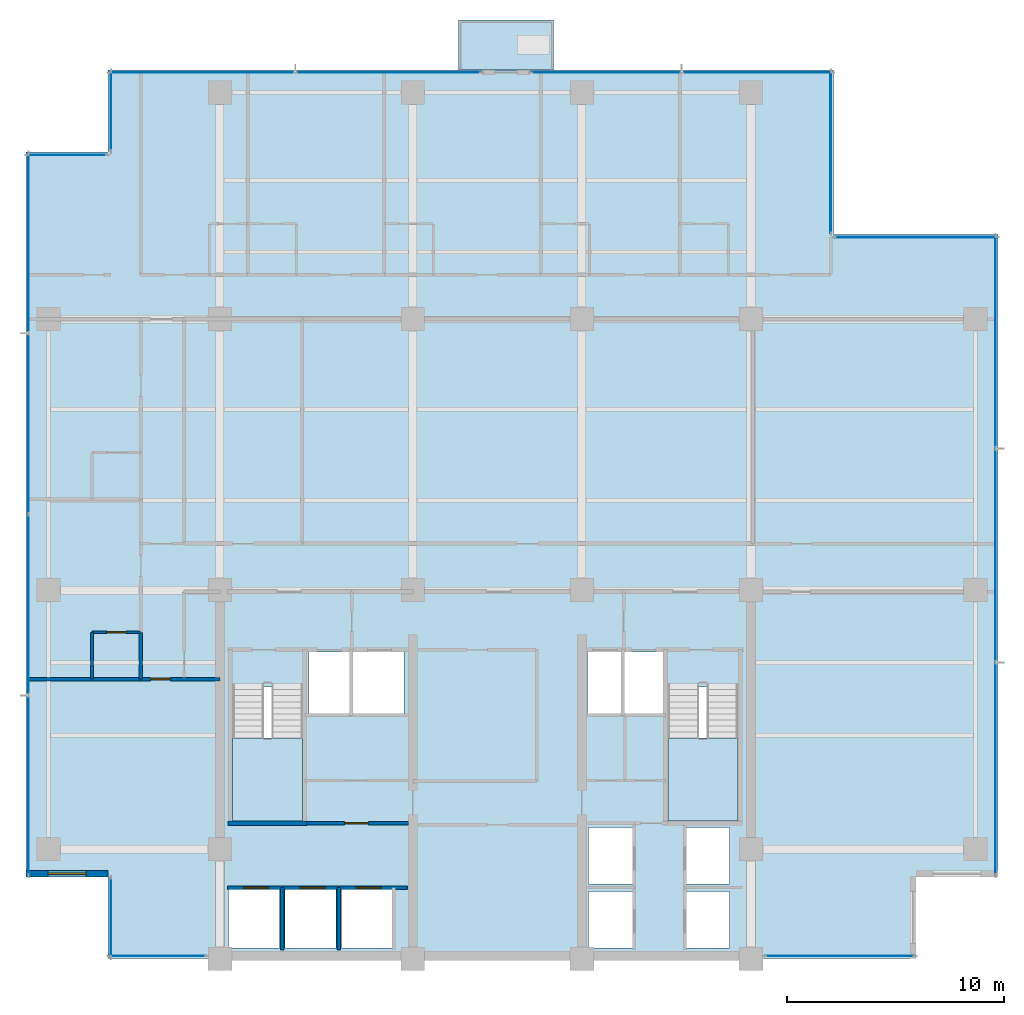
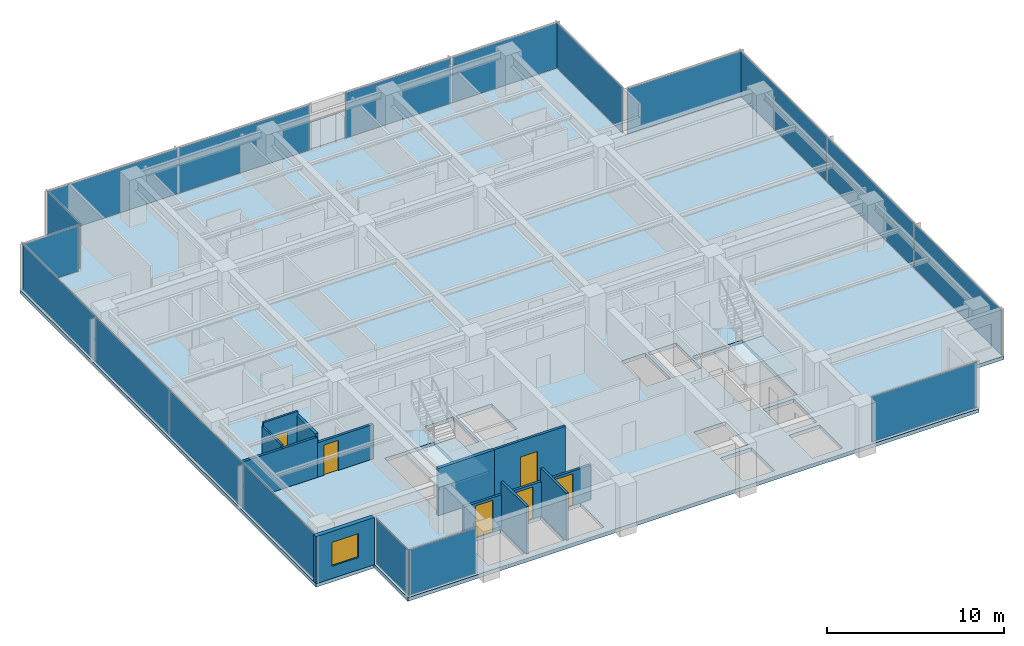
# One storey, part 6 of 15: 18 plates, 11 walls, 6 doors, 4 slabs, 1 window, 7 openings, 13 elements without a shape of their own.
"""IFC4 building model written with IfcOpenShell, lengths in metres."""

from ifc_helpers import new_model, si_unit, direction, frame, frame_2d, origin, origin_2d, place, context, subcontext, project, spatial, polyline, rectangle, outline, extrude, material, layer, layer_set, type_object, element, fill, aggregate, save


model = new_model("IFC4")

# Units and contexts
model_context = context("Model", 3, precision=1e-05, world=origin(), true_north=direction((0.0, 1.0)))
body_context = subcontext(model_context, "Body", "Model", "MODEL_VIEW")
ifc_project = project(units=[si_unit("LENGTHUNIT", "METRE"), si_unit("AREAUNIT", "SQUARE_METRE"), si_unit("VOLUMEUNIT", "CUBIC_METRE"), si_unit("PLANEANGLEUNIT", "RADIAN"), si_unit("MASSUNIT", "GRAM", prefix="KILO")], contexts=[model_context])

# Site, building, storey
site_placement = place(None, origin())
site = spatial("IfcSite", under=ifc_project, at=site_placement, CompositionType="ELEMENT")
building_placement = place(site_placement, origin())
building = spatial("IfcBuilding", under=site, at=building_placement, Name="Qalmaran Belvedere Hotel", CompositionType="ELEMENT")
storey_placement = place(building_placement, frame((0.0, 0.0, 170.10009765625)))
storey = spatial("IfcBuildingStorey", under=building, at=storey_placement, Name="L43", CompositionType="ELEMENT", Elevation=170.10009765625)

# Curtain wall, plate
ifc_material_1 = material(Name="Anodised Bronze Aluminium", Category="aluminium")
ifc_layer_1 = layer(ifc_material_1, 0.195068359375, Name="Anodised Bronze Aluminium")
ifc_layer_set_1 = layer_set([ifc_layer_1], Name="Anodised Bronze Aluminium")
curtain_wall_type = type_object("IfcCurtainWallType", Name="CW4-TOWER-HIGHMID", PredefinedType="NOTDEFINED", material=ifc_layer_set_1)
curtain_wall_1_placement = place(storey_placement, origin())
curtain_wall_1 = element("IfcCurtainWall", 1, at=curtain_wall_1_placement, inside=storey, type_object=curtain_wall_type, Name="L43 Curtain Wall CW4", PredefinedType="NOTDEFINED")
ifc_material_2 = material(Name="Solar-Control Double Glazing", Category="glass")
ifc_layer_2 = layer(ifc_material_2, 0.028076171875, Name="Solar-Control Double Glazing")
ifc_layer_set_2 = layer_set([ifc_layer_2], Name="Solar-Control Double Glazing")
plate_type = type_object("IfcPlateType", Name="CWP-VISION-28", PredefinedType="CURTAIN_PANEL", material=ifc_layer_set_2)
plate_1_placement = place(storey_placement, frame((17.429931640625, 3.6201171875, 0.06494140625), z_axis=(0.0, 0.0, 1.0), x_axis=(1.0, 0.0, 0.0)))
plate_1 = element("IfcPlate", 2, at=plate_1_placement, type_object=plate_type, Name="CW4 panel 1.1", PredefinedType="CURTAIN_PANEL", context=body_context, shape_type="SweptSolid", body=[
    extrude(rectangle(XDim=4.419921875, YDim=0.028076171875, at=origin_2d()), origin(), (0.0, 0.0, 1.0), 3.1201171875),
])
aggregate(curtain_wall_1, [plate_1])

curtain_wall_2_placement = place(storey_placement, origin())
curtain_wall_2 = element("IfcCurtainWall", 3, at=curtain_wall_2_placement, inside=storey, type_object=curtain_wall_type, Name="L43 Curtain Wall CW4", PredefinedType="NOTDEFINED")
plate_2_placement = place(storey_placement, frame((48.89501953125, 3.6201171875, 0.06494140625), z_axis=(0.0, 0.0, 1.0), x_axis=(1.0, 0.0, 0.0)))
plate_2 = element("IfcPlate", 4, at=plate_2_placement, type_object=plate_type, Name="CW4 panel 1.1", PredefinedType="CURTAIN_PANEL", context=body_context, shape_type="SweptSolid", body=[
    extrude(rectangle(XDim=6.8701171875, YDim=0.028076171875, at=origin_2d()), origin(), (0.0, 0.0, 1.0), 3.1201171875),
])
aggregate(curtain_wall_2, [plate_2])

# Curtain wall, plates
curtain_wall_3_placement = place(storey_placement, origin())
curtain_wall_3 = element("IfcCurtainWall", 5, at=curtain_wall_3_placement, inside=storey, type_object=curtain_wall_type, Name="L43 Curtain Wall CW4", PredefinedType="NOTDEFINED")
plate_3_placement = place(storey_placement, frame((56.080078125, 12.250732421875, 0.06494140625), z_axis=(0.0, 0.0, 1.0), x_axis=(0.0, 1.0, 0.0)))
plate_3 = element("IfcPlate", 6, at=plate_3_placement, type_object=plate_type, Name="CW4 panel 1.1", PredefinedType="CURTAIN_PANEL", context=body_context, shape_type="SweptSolid", body=[
    extrude(rectangle(XDim=9.76171875, YDim=0.028076171875, at=origin_2d()), origin(), (0.0, 0.0, 1.0), 3.1201171875),
])
plate_4_placement = place(storey_placement, frame((56.080078125, 22.10009765625, 0.06494140625), z_axis=(0.0, 0.0, 1.0), x_axis=(0.0, 1.0, 0.0)))
plate_4 = element("IfcPlate", 7, at=plate_4_placement, type_object=plate_type, Name="CW4 panel 2.1", PredefinedType="CURTAIN_PANEL", context=body_context, shape_type="SweptSolid", body=[
    extrude(rectangle(XDim=9.796630859375, YDim=0.028076171875, at=origin_2d()), origin(), (0.0, 0.0, 1.0), 3.1201171875),
])
plate_5_placement = place(storey_placement, frame((56.080078125, 31.94921875, 0.06494140625), z_axis=(0.0, 0.0, 1.0), x_axis=(0.0, 1.0, 0.0)))
plate_5 = element("IfcPlate", 8, at=plate_5_placement, type_object=plate_type, Name="CW4 panel 3.1", PredefinedType="CURTAIN_PANEL", context=body_context, shape_type="SweptSolid", body=[
    extrude(rectangle(XDim=9.76171875, YDim=0.028076171875, at=origin_2d()), origin(), (0.0, 0.0, 1.0), 3.1201171875),
])
aggregate(curtain_wall_3, [plate_3, plate_4, plate_5])

# Curtain wall, plate
curtain_wall_4_placement = place(storey_placement, origin())
curtain_wall_4 = element("IfcCurtainWall", 9, at=curtain_wall_4_placement, inside=storey, type_object=curtain_wall_type, Name="L43 Curtain Wall CW4", PredefinedType="NOTDEFINED")
plate_6_placement = place(storey_placement, frame((52.39990234375, 36.780029296875, 0.06494140625), z_axis=(0.0, 0.0, 1.0), x_axis=(-1.0, 0.0, 0.0)))
plate_6 = element("IfcPlate", 10, at=plate_6_placement, type_object=plate_type, Name="CW4 panel 1.1", PredefinedType="CURTAIN_PANEL", context=body_context, shape_type="SweptSolid", body=[
    extrude(rectangle(XDim=7.4599609375, YDim=0.028076171875, at=origin_2d()), origin(), (0.0, 0.0, 1.0), 3.1201171875),
])
aggregate(curtain_wall_4, [plate_6])

curtain_wall_5_placement = place(storey_placement, origin())
curtain_wall_5 = element("IfcCurtainWall", 11, at=curtain_wall_5_placement, inside=storey, type_object=curtain_wall_type, Name="L43 Curtain Wall CW4", PredefinedType="NOTDEFINED")
plate_7_placement = place(storey_placement, frame((48.47998046875, 40.699951171875, 0.06494140625), z_axis=(0.0, 0.0, 1.0), x_axis=(0.0, 1.0, 0.0)))
plate_7 = element("IfcPlate", 12, at=plate_7_placement, type_object=plate_type, Name="CW4 panel 1.1", PredefinedType="CURTAIN_PANEL", context=body_context, shape_type="SweptSolid", body=[
    extrude(rectangle(XDim=7.4599609375, YDim=0.028076171875, at=origin_2d()), origin(), (0.0, 0.0, 1.0), 3.1201171875),
])
aggregate(curtain_wall_5, [plate_7])

# Curtain wall, plates
curtain_wall_6_placement = place(storey_placement, origin())
curtain_wall_6 = element("IfcCurtainWall", 13, at=curtain_wall_6_placement, inside=storey, type_object=curtain_wall_type, Name="L43 Curtain Wall CW4", PredefinedType="NOTDEFINED")
plate_8_placement = place(storey_placement, frame((28.070068359375, 44.3798828125, 0.06494140625), z_axis=(0.0, 0.0, 1.0), x_axis=(-1.0, 0.0, 0.0)))
plate_8 = element("IfcPlate", 14, at=plate_8_placement, type_object=plate_type, Name="CW4 panel 1.1", PredefinedType="CURTAIN_PANEL", context=body_context, shape_type="SweptSolid", body=[
    extrude(rectangle(XDim=8.52001953125, YDim=0.028076171875, at=origin_2d()), origin(), (0.0, 0.0, 1.0), 3.1201171875),
])
plate_9_placement = place(storey_placement, frame((19.47998046875, 44.3798828125, 0.06494140625), z_axis=(0.0, 0.0, 1.0), x_axis=(-1.0, 0.0, 0.0)))
plate_9 = element("IfcPlate", 15, at=plate_9_placement, type_object=plate_type, Name="CW4 panel 2.1", PredefinedType="CURTAIN_PANEL", context=body_context, shape_type="SweptSolid", body=[
    extrude(rectangle(XDim=8.52001953125, YDim=0.028076171875, at=origin_2d()), origin(), (0.0, 0.0, 1.0), 3.1201171875),
])
aggregate(curtain_wall_6, [plate_8, plate_9])

curtain_wall_7_placement = place(storey_placement, origin())
curtain_wall_7 = element("IfcCurtainWall", 16, at=curtain_wall_7_placement, inside=storey, type_object=curtain_wall_type, Name="L43 Curtain Wall CW4", PredefinedType="NOTDEFINED")
plate_10_placement = place(storey_placement, frame((45.08251953125, 44.3798828125, 0.06494140625), z_axis=(0.0, 0.0, 1.0), x_axis=(-1.0, 0.0, 0.0)))
plate_10 = element("IfcPlate", 17, at=plate_10_placement, type_object=plate_type, Name="CW4 panel 1.1", PredefinedType="CURTAIN_PANEL", context=body_context, shape_type="SweptSolid", body=[
    extrude(rectangle(XDim=6.89501953125, YDim=0.028076171875, at=origin_2d()), origin(), (0.0, 0.0, 1.0), 3.1201171875),
])
plate_11_placement = place(storey_placement, frame((38.117431640625, 44.3798828125, 0.06494140625), z_axis=(0.0, 0.0, 1.0), x_axis=(-1.0, 0.0, 0.0)))
plate_11 = element("IfcPlate", 18, at=plate_11_placement, type_object=plate_type, Name="CW4 panel 2.1", PredefinedType="CURTAIN_PANEL", context=body_context, shape_type="SweptSolid", body=[
    extrude(rectangle(XDim=6.89501953125, YDim=0.028076171875, at=origin_2d()), origin(), (0.0, 0.0, 1.0), 3.1201171875),
])
aggregate(curtain_wall_7, [plate_10, plate_11])

# Curtain wall, plate
curtain_wall_8_placement = place(storey_placement, origin())
curtain_wall_8 = element("IfcCurtainWall", 19, at=curtain_wall_8_placement, inside=storey, type_object=curtain_wall_type, Name="L43 Curtain Wall CW4", PredefinedType="NOTDEFINED")
plate_12_placement = place(storey_placement, frame((15.27001953125, 42.60009765625, 0.06494140625), z_axis=(0.0, 0.0, 1.0), x_axis=(0.0, -1.0, 0.0)))
plate_12 = element("IfcPlate", 20, at=plate_12_placement, type_object=plate_type, Name="CW4 panel 1.1", PredefinedType="CURTAIN_PANEL", context=body_context, shape_type="SweptSolid", body=[
    extrude(rectangle(XDim=3.659912109375, YDim=0.028076171875, at=origin_2d()), origin(), (0.0, 0.0, 1.0), 3.1201171875),
])
aggregate(curtain_wall_8, [plate_12])

curtain_wall_9_placement = place(storey_placement, origin())
curtain_wall_9 = element("IfcCurtainWall", 21, at=curtain_wall_9_placement, inside=storey, type_object=curtain_wall_type, Name="L43 Curtain Wall CW4", PredefinedType="NOTDEFINED")
plate_13_placement = place(storey_placement, frame((13.25, 40.580078125, 0.06494140625), z_axis=(0.0, 0.0, 1.0), x_axis=(-1.0, 0.0, 0.0)))
plate_13 = element("IfcPlate", 22, at=plate_13_placement, type_object=plate_type, Name="CW4 panel 1.1", PredefinedType="CURTAIN_PANEL", context=body_context, shape_type="SweptSolid", body=[
    extrude(rectangle(XDim=3.659912109375, YDim=0.028076171875, at=origin_2d()), origin(), (0.0, 0.0, 1.0), 3.1201171875),
])
aggregate(curtain_wall_9, [plate_13])

# Curtain wall, plates
curtain_wall_10_placement = place(storey_placement, origin())
curtain_wall_10 = element("IfcCurtainWall", 23, at=curtain_wall_10_placement, inside=storey, type_object=curtain_wall_type, Name="L43 Curtain Wall CW4", PredefinedType="NOTDEFINED")
plate_14_placement = place(storey_placement, frame((11.469970703125, 36.507568359375, 0.06494140625), z_axis=(0.0, 0.0, 1.0), x_axis=(0.0, -1.0, 0.0)))
plate_14 = element("IfcPlate", 24, at=plate_14_placement, type_object=plate_type, Name="CW4 panel 1.1", PredefinedType="CURTAIN_PANEL", context=body_context, shape_type="SweptSolid", body=[
    extrude(rectangle(XDim=8.2451171875, YDim=0.028076171875, at=origin_2d()), origin(), (0.0, 0.0, 1.0), 3.1201171875),
])
plate_15_placement = place(storey_placement, frame((11.469970703125, 28.175048828125, 0.06494140625), z_axis=(0.0, 0.0, 1.0), x_axis=(0.0, -1.0, 0.0)))
plate_15 = element("IfcPlate", 25, at=plate_15_placement, type_object=plate_type, Name="CW4 panel 2.1", PredefinedType="CURTAIN_PANEL", context=body_context, shape_type="SweptSolid", body=[
    extrude(rectangle(XDim=8.280029296875, YDim=0.028076171875, at=origin_2d()), origin(), (0.0, 0.0, 1.0), 3.1201171875),
])
plate_16_placement = place(storey_placement, frame((11.469970703125, 19.824951171875, 0.06494140625), z_axis=(0.0, 0.0, 1.0), x_axis=(0.0, -1.0, 0.0)))
plate_16 = element("IfcPlate", 26, at=plate_16_placement, type_object=plate_type, Name="CW4 panel 3.1", PredefinedType="CURTAIN_PANEL", context=body_context, shape_type="SweptSolid", body=[
    extrude(rectangle(XDim=8.280029296875, YDim=0.028076171875, at=origin_2d()), origin(), (0.0, 0.0, 1.0), 3.1201171875),
])
plate_17_placement = place(storey_placement, frame((11.469970703125, 11.492431640625, 0.06494140625), z_axis=(0.0, 0.0, 1.0), x_axis=(0.0, -1.0, 0.0)))
plate_17 = element("IfcPlate", 27, at=plate_17_placement, type_object=plate_type, Name="CW4 panel 4.1", PredefinedType="CURTAIN_PANEL", context=body_context, shape_type="SweptSolid", body=[
    extrude(rectangle(XDim=8.2451171875, YDim=0.028076171875, at=origin_2d()), origin(), (0.0, 0.0, 1.0), 3.1201171875),
])
aggregate(curtain_wall_10, [plate_14, plate_15, plate_16, plate_17])

# Curtain wall, plate
curtain_wall_11_placement = place(storey_placement, origin())
curtain_wall_11 = element("IfcCurtainWall", 28, at=curtain_wall_11_placement, inside=storey, type_object=curtain_wall_type, Name="L43 Curtain Wall CW4", PredefinedType="NOTDEFINED")
plate_18_placement = place(storey_placement, frame((15.27001953125, 5.39990234375, 0.06494140625), z_axis=(0.0, 0.0, 1.0), x_axis=(0.0, -1.0, 0.0)))
plate_18 = element("IfcPlate", 29, at=plate_18_placement, type_object=plate_type, Name="CW4 panel 1.1", PredefinedType="CURTAIN_PANEL", context=body_context, shape_type="SweptSolid", body=[
    extrude(rectangle(XDim=3.659912109375, YDim=0.028076171875, at=origin_2d()), origin(), (0.0, 0.0, 1.0), 3.1201171875),
])
aggregate(curtain_wall_11, [plate_18])

# Slab
ifc_material_3 = material(Name="Concrete C40/50", Category="concrete")
ifc_layer_3 = layer(ifc_material_3, 0.219970703125, Name="Concrete C40/50")
ifc_layer_set_3 = layer_set([ifc_layer_3], Name="Concrete C40/50")
slab_type_1 = type_object("IfcSlabType", Name="SLB-BAL-220", PredefinedType="USERDEFINED", material=ifc_layer_set_3)
slab_1_placement = place(storey_placement, frame((0.0, 0.0, -0.22021484375)))
element("IfcSlab", 30, at=slab_1_placement, inside=storey, type_object=slab_type_1, Name="L43 Planted Tree Balcony Slab 1", ObjectType="BALCONY", PredefinedType="USERDEFINED", context=body_context, shape_type="SweptSolid", body=[
    extrude(outline(polyline([(31.300048828125, 44.5), (35.699951171875, 44.5), (35.699951171875, 46.800048828125), (31.300048828125, 46.800048828125), (31.300048828125, 44.5)])), origin(), (0.0, 0.0, 1.0), 0.22021484375),
])

# Stair, slab
stair_type_1 = type_object("IfcStairType", Name="STR-ST-1-1450-R1750", PredefinedType="HALF_TURN_STAIR", material=ifc_material_3)
stair_1_placement = place(storey_placement, origin())
stair_1 = element("IfcStair", 31, at=stair_1_placement, inside=storey, type_object=stair_type_1, Name="L43 West Core Exit Stair ST-1", PredefinedType="HALF_TURN_STAIR")
ifc_layer_4 = layer(ifc_material_3, 0.199951171875, Name="Concrete C40/50")
ifc_layer_set_4 = layer_set([ifc_layer_4], Name="Concrete C40/50")
slab_type_2 = type_object("IfcSlabType", Name="SLB-STAIR-LANDING-200", PredefinedType="LANDING", material=ifc_layer_set_4)
slab_2_placement = place(storey_placement, frame((0.0, 0.0, 1.5498046875)))
slab_2 = element("IfcSlab", 32, at=slab_2_placement, type_object=slab_type_2, Name="ST-1 landing 1", PredefinedType="LANDING", context=body_context, shape_type="SweptSolid", body=[
    extrude(outline(polyline([(20.8798828125, 13.669921875), (20.8798828125, 9.85009765625), (24.1201171875, 9.85009765625), (24.1201171875, 13.669921875), (20.8798828125, 13.669921875)])), origin(), (0.0, 0.0, 1.0), 0.2001953125),
])
aggregate(stair_1, [slab_2])

stair_type_2 = type_object("IfcStairType", Name="STR-ST-2-1450-R1750", PredefinedType="HALF_TURN_STAIR", material=ifc_material_3)
stair_2_placement = place(storey_placement, origin())
stair_2 = element("IfcStair", 33, at=stair_2_placement, inside=storey, type_object=stair_type_2, Name="L43 East Core Exit Stair ST-2", PredefinedType="HALF_TURN_STAIR")
slab_3_placement = place(storey_placement, frame((0.0, 0.0, 1.5498046875)))
slab_3 = element("IfcSlab", 34, at=slab_3_placement, type_object=slab_type_2, Name="ST-2 landing 1", PredefinedType="LANDING", context=body_context, shape_type="SweptSolid", body=[
    extrude(outline(polyline([(40.9599609375, 13.669921875), (40.9599609375, 9.85009765625), (44.199951171875, 9.85009765625), (44.199951171875, 13.669921875), (40.9599609375, 13.669921875)])), origin(), (0.0, 0.0, 1.0), 0.2001953125),
])
aggregate(stair_2, [slab_3])

# Slab
ifc_layer_5 = layer(ifc_material_3, 0.25, Name="Concrete C40/50")
ifc_layer_set_5 = layer_set([ifc_layer_5], Name="Concrete C40/50")
slab_type_3 = type_object("IfcSlabType", Name="SLB-Z3-250", PredefinedType="FLOOR", material=ifc_layer_set_5)
slab_4_placement = place(storey_placement, frame((0.0, 0.0, -0.25)))
element("IfcSlab", 35, at=slab_4_placement, inside=storey, type_object=slab_type_3, Name="L43 Structural Floor Slab", PredefinedType="FLOOR", context=body_context, shape_type="SweptSolid", body=[
    extrude(outline(polyline([(15.14990234375, 3.5), (52.39990234375, 3.5), (52.39990234375, 7.300048828125), (56.199951171875, 7.300048828125), (56.199951171875, 36.89990234375), (48.60009765625, 36.89990234375), (48.60009765625, 44.5), (15.14990234375, 44.5), (15.14990234375, 40.699951171875), (11.35009765625, 40.699951171875), (11.35009765625, 7.300048828125), (15.14990234375, 7.300048828125), (15.14990234375, 3.5)]), holes=[polyline([(20.8798828125, 9.85009765625), (24.1201171875, 9.85009765625), (24.1201171875, 16.0400390625), (20.8798828125, 16.0400390625), (20.8798828125, 9.85009765625)]), polyline([(40.9599609375, 9.85009765625), (44.199951171875, 9.85009765625), (44.199951171875, 16.0400390625), (40.9599609375, 16.0400390625), (40.9599609375, 9.85009765625)]), polyline([(37.300048828125, 4.0), (39.35009765625, 4.0), (39.35009765625, 6.60009765625), (37.300048828125, 6.60009765625), (37.300048828125, 4.0)]), polyline([(37.300048828125, 6.949951171875), (39.35009765625, 6.949951171875), (39.35009765625, 9.550048828125), (37.300048828125, 9.550048828125), (37.300048828125, 6.949951171875)]), polyline([(41.800048828125, 4.0), (43.800048828125, 4.0), (43.800048828125, 6.60009765625), (41.800048828125, 6.60009765625), (41.800048828125, 4.0)]), polyline([(41.800048828125, 6.949951171875), (43.800048828125, 6.949951171875), (43.800048828125, 9.550048828125), (41.800048828125, 9.550048828125), (41.800048828125, 6.949951171875)]), polyline([(20.699951171875, 4.0), (23.050048828125, 4.0), (23.050048828125, 6.699951171875), (20.699951171875, 6.699951171875), (20.699951171875, 4.0)]), polyline([(23.300048828125, 4.0), (25.64990234375, 4.0), (25.64990234375, 6.699951171875), (23.300048828125, 6.699951171875), (23.300048828125, 4.0)]), polyline([(25.89990234375, 4.0), (28.25, 4.0), (28.25, 6.699951171875), (25.89990234375, 6.699951171875), (25.89990234375, 4.0)]), polyline([(24.39990234375, 14.800048828125), (26.300048828125, 14.800048828125), (26.300048828125, 17.64990234375), (24.39990234375, 17.64990234375), (24.39990234375, 14.800048828125)]), polyline([(38.949951171875, 14.800048828125), (40.820068359375, 14.800048828125), (40.820068359375, 17.64990234375), (38.949951171875, 17.64990234375), (38.949951171875, 14.800048828125)]), polyline([(26.449951171875, 14.800048828125), (28.800048828125, 14.800048828125), (28.800048828125, 17.64990234375), (26.449951171875, 17.64990234375), (26.449951171875, 14.800048828125)]), polyline([(37.25, 14.800048828125), (38.800048828125, 14.800048828125), (38.800048828125, 17.64990234375), (37.25, 17.64990234375), (37.25, 14.800048828125)])]), origin(), (0.0, 0.0, 1.0), 0.25),
])

# Wall, opening, window
ifc_material_4 = material(Name="Anodised Bronze Cladding")
ifc_layer_6 = layer(ifc_material_4, 0.280029296875, Name="Anodised Bronze Cladding")
ifc_layer_set_6 = layer_set([ifc_layer_6], Name="Anodised Bronze Cladding")
wall_type_1 = type_object("IfcWallType", Name="WL-EXT-BRNZ-280", PredefinedType="SOLIDWALL", material=ifc_layer_set_6)
wall_1_placement = place(storey_placement, frame((11.35009765625, 7.419921875, 0.0), z_axis=(0.0, 0.0, 1.0), x_axis=(1.0, 0.0, 0.0)))
wall_1 = element("IfcWall", 36, at=wall_1_placement, inside=storey, type_object=wall_type_1, Name="L43 Corner Notch Wall 10", PredefinedType="SOLIDWALL", context=body_context, shape_type="SweptSolid", body=[
    extrude(rectangle(XDim=3.7998046875, YDim=0.280029296875, at=frame_2d((1.89990234375, 0.0))), origin(), (0.0, 0.0, 1.0), 3.25),
])
opening_1_placement = place(wall_1_placement, frame((1.02490234375, 0.0, 0.85009765625)))
opening_1 = element("IfcOpeningElement", 37, at=opening_1_placement, cuts=wall_1, Name="Opening W-N17", PredefinedType="OPENING", context=body_context, shape_type="SweptSolid", body=[
    extrude(rectangle(XDim=1.75, YDim=1.64990234375, at=frame_2d((0.875, 0.824951171875))), frame((0.0, 0.14990234375, 0.0), z_axis=(0.0, -1.0, 0.0), x_axis=(1.0, 0.0, 0.0)), (0.0, 0.0, 1.0), 0.300048828125),
])
window_type = type_object("IfcWindowType", Name="WN-NTC-1750X1650", PartitioningType="SINGLE_PANEL", PredefinedType="WINDOW", material=ifc_material_2)
window_placement = place(opening_1_placement, origin())
window = element("IfcWindow", 38, at=window_placement, inside=storey, type_object=window_type, Name="L43 Corner Notch Window 10", OverallHeight=1.64990234375, OverallWidth=1.75, PartitioningType="SINGLE_PANEL", PredefinedType="WINDOW", context=body_context, shape_type="SweptSolid", body=[
    extrude(rectangle(XDim=1.75, YDim=1.64990234375, at=frame_2d((0.875, 0.824951171875))), frame((0.0, 0.030029296875, 0.0), z_axis=(0.0, -1.0, 0.0), x_axis=(1.0, 0.0, 0.0)), (0.0, 0.0, 1.0), 0.06005859375),
])
fill(opening_1, window)

# Wall, opening, door
ifc_material_5 = material(Name="Moisture-Resistant Gypsum")
ifc_layer_7 = layer(ifc_material_5, 0.1201171875, Name="Moisture-Resistant Gypsum")
ifc_layer_set_7 = layer_set([ifc_layer_7], Name="Moisture-Resistant Gypsum")
wall_type_2 = type_object("IfcWallType", Name="WL-INT-120-BATH", PredefinedType="PARTITIONING", material=ifc_layer_set_7)
wall_2_placement = place(storey_placement, frame((14.39990234375, 18.550048828125, 0.0), z_axis=(0.0, 0.0, 1.0), x_axis=(1.0, 0.0, 0.0)))
wall_2 = element("IfcWall", 39, at=wall_2_placement, inside=storey, type_object=wall_type_2, Name="L43 Partition WL-L43-WBN00", PredefinedType="PARTITIONING", context=body_context, shape_type="SweptSolid", body=[
    extrude(rectangle(XDim=2.25, YDim=0.1201171875, at=frame_2d((1.125, 0.0))), origin(), (0.0, 0.0, 1.0), 3.25),
])
opening_2_placement = place(wall_2_placement, frame((1.56494140625, 0.0, 0.0), z_axis=(0.0, 0.0, 1.0), x_axis=(-1.0, 0.0, 0.0)))
opening_2 = element("IfcOpeningElement", 40, at=opening_2_placement, cuts=wall_2, Name="Opening D-BATH", PredefinedType="OPENING", context=body_context, shape_type="SweptSolid", body=[
    extrude(rectangle(XDim=0.8798828125, YDim=2.080078125, at=frame_2d((0.43994140625, 1.0400390625))), frame((0.0, 0.070068359375, 0.0), z_axis=(0.0, -1.0, 0.0), x_axis=(1.0, 0.0, 0.0)), (0.0, 0.0, 1.0), 0.14013671875),
])
ifc_material_6 = material(Name="Engineered Oak Veneer")
door_type_1 = type_object("IfcDoorType", Name="DR-INT-BATH-880X2080", OperationType="NOTDEFINED", PredefinedType="DOOR", material=ifc_material_6)
door_1_placement = place(opening_2_placement, origin())
door_1 = element("IfcDoor", 41, at=door_1_placement, inside=storey, type_object=door_type_1, Name="L43 W Ensuite Door 01", OperationType="SINGLE_SWING_RIGHT", OverallHeight=2.080078125, OverallWidth=0.8798828125, PredefinedType="DOOR", context=body_context, shape_type="SweptSolid", body=[
    extrude(rectangle(XDim=0.8798828125, YDim=2.080078125, at=frame_2d((0.43994140625, 1.0400390625))), frame((0.0, 0.02490234375, 0.0), z_axis=(0.0, -1.0, 0.0), x_axis=(1.0, 0.0, 0.0)), (0.0, 0.0, 1.0), 0.050048828125),
])
fill(opening_2, door_1)

# Walls
wall_3_placement = place(storey_placement, frame((14.39990234375, 16.39990234375, 0.0), z_axis=(0.0, 0.0, 1.0), x_axis=(0.0, 1.0, 0.0)))
element("IfcWall", 42, at=wall_3_placement, inside=storey, type_object=wall_type_2, Name="L43 Partition WL-L43-WBS00", PredefinedType="PARTITIONING", context=body_context, shape_type="SweptSolid", body=[
    extrude(rectangle(XDim=2.150146484375, YDim=0.1201171875, at=frame_2d((1.0751953125, 0.0))), origin(), (0.0, 0.0, 1.0), 2.98779296875),
])
ifc_material_7 = material(Name="Gypsum Stud Partition")
ifc_layer_8 = layer(ifc_material_7, 0.14990234375, Name="Gypsum Stud Partition")
ifc_layer_set_8 = layer_set([ifc_layer_8], Name="Gypsum Stud Partition")
wall_type_3 = type_object("IfcWallType", Name="WL-INT-150-EI120", PredefinedType="PARTITIONING", material=ifc_layer_set_8)
for number, where, z_axis, x_axis, name in (
    (43, (23.179931640625, 3.89990234375, 0.0), (0.0, 0.0, 1.0), (0.0, 1.0, 0.0), "L43 Partition WL-POM1-L43"),
    (44, (25.780029296875, 3.89990234375, 0.0), (0.0, 0.0, 1.0), (0.0, 1.0, 0.0), "L43 Partition WL-POM2-L43"),
):
    element("IfcWall", number, at=place(storey_placement, frame(where, z_axis=z_axis, x_axis=x_axis)), inside=storey, type_object=wall_type_3, Name=name, PredefinedType="PARTITIONING", context=body_context, shape_type="SweptSolid", body=[
        extrude(rectangle(XDim=2.880126953125, YDim=0.14990234375, at=frame_2d((1.43994140625, 0.0))), origin(), (0.0, 0.0, 1.0), 3.25),
    ])

# Wall, openings, doors
ifc_layer_9 = layer(ifc_material_7, 0.159912109375, Name="Gypsum Stud Partition")
ifc_layer_set_9 = layer_set([ifc_layer_9], Name="Gypsum Stud Partition")
wall_type_4 = type_object("IfcWallType", Name="WL-INT-160-EI120", PredefinedType="PARTITIONING", material=ifc_layer_set_9)
wall_4_placement = place(storey_placement, frame((20.64990234375, 6.780029296875, 0.0), z_axis=(0.0, 0.0, 1.0), x_axis=(1.0, 0.0, 0.0)))
wall_4 = element("IfcWall", 45, at=wall_4_placement, inside=storey, type_object=wall_type_4, Name="L43 Partition WL-POS-L43", PredefinedType="PARTITIONING", context=body_context, shape_type="SweptSolid", body=[
    extrude(rectangle(XDim=8.300048828125, YDim=0.159912109375, at=frame_2d((4.14990234375, 0.0))), origin(), (0.0, 0.0, 1.0), 2.3798828125),
])
opening_3_placement = place(wall_4_placement, frame((0.75, 0.0, 0.0)))
opening_3 = element("IfcOpeningElement", 46, at=opening_3_placement, cuts=wall_4, Name="Opening LD-PO", PredefinedType="OPENING", context=body_context, shape_type="SweptSolid", body=[
    extrude(rectangle(XDim=1.14990234375, YDim=2.199951171875, at=frame_2d((0.574951171875, 1.10009765625))), frame((0.0, 0.08984375, 0.0), z_axis=(0.0, -1.0, 0.0), x_axis=(1.0, 0.0, 0.0)), (0.0, 0.0, 1.0), 0.179931640625),
])
opening_4_placement = place(wall_4_placement, frame((3.35009765625, 0.0, 0.0)))
opening_4 = element("IfcOpeningElement", 47, at=opening_4_placement, cuts=wall_4, Name="Opening LD-PO", PredefinedType="OPENING", context=body_context, shape_type="SweptSolid", body=[
    extrude(rectangle(XDim=1.14990234375, YDim=2.199951171875, at=frame_2d((0.574951171875, 1.10009765625))), frame((0.0, 0.08984375, 0.0), z_axis=(0.0, -1.0, 0.0), x_axis=(1.0, 0.0, 0.0)), (0.0, 0.0, 1.0), 0.179931640625),
])
opening_5_placement = place(wall_4_placement, frame((5.949951171875, 0.0, 0.0)))
opening_5 = element("IfcOpeningElement", 48, at=opening_5_placement, cuts=wall_4, Name="Opening LD-PO", PredefinedType="OPENING", context=body_context, shape_type="SweptSolid", body=[
    extrude(rectangle(XDim=1.14990234375, YDim=2.199951171875, at=frame_2d((0.574951171875, 1.10009765625))), frame((0.0, 0.08984375, 0.0), z_axis=(0.0, -1.0, 0.0), x_axis=(1.0, 0.0, 0.0)), (0.0, 0.0, 1.0), 0.179931640625),
])
door_type_2 = type_object("IfcDoorType", Name="DR-LIFT-PO-1150X2200", OperationType="DOUBLE_DOOR_SLIDING", PredefinedType="DOOR", material=ifc_material_1)
door_2_placement = place(opening_3_placement, origin())
door_2 = element("IfcDoor", 49, at=door_2_placement, inside=storey, type_object=door_type_2, Name="L43 PO1 Shuttle Landing Door", OperationType="DOUBLE_DOOR_SLIDING", OverallHeight=2.199951171875, OverallWidth=1.14990234375, PredefinedType="DOOR", context=body_context, shape_type="SweptSolid", body=[
    extrude(rectangle(XDim=1.14990234375, YDim=2.199951171875, at=frame_2d((0.574951171875, 1.10009765625))), frame((0.0, 0.02490234375, 0.0), z_axis=(0.0, -1.0, 0.0), x_axis=(1.0, 0.0, 0.0)), (0.0, 0.0, 1.0), 0.050048828125),
])
fill(opening_3, door_2)
door_3_placement = place(opening_4_placement, origin())
door_3 = element("IfcDoor", 50, at=door_3_placement, inside=storey, type_object=door_type_2, Name="L43 PO2 Shuttle Landing Door", OperationType="DOUBLE_DOOR_SLIDING", OverallHeight=2.199951171875, OverallWidth=1.14990234375, PredefinedType="DOOR", context=body_context, shape_type="SweptSolid", body=[
    extrude(rectangle(XDim=1.14990234375, YDim=2.199951171875, at=frame_2d((0.574951171875, 1.10009765625))), frame((0.0, 0.02490234375, 0.0), z_axis=(0.0, -1.0, 0.0), x_axis=(1.0, 0.0, 0.0)), (0.0, 0.0, 1.0), 0.050048828125),
])
fill(opening_4, door_3)
door_4_placement = place(opening_5_placement, origin())
door_4 = element("IfcDoor", 51, at=door_4_placement, inside=storey, type_object=door_type_2, Name="L43 PO3 Shuttle Landing Door", OperationType="DOUBLE_DOOR_SLIDING", OverallHeight=2.199951171875, OverallWidth=1.14990234375, PredefinedType="DOOR", context=body_context, shape_type="SweptSolid", body=[
    extrude(rectangle(XDim=1.14990234375, YDim=2.199951171875, at=frame_2d((0.574951171875, 1.10009765625))), frame((0.0, 0.02490234375, 0.0), z_axis=(0.0, -1.0, 0.0), x_axis=(1.0, 0.0, 0.0)), (0.0, 0.0, 1.0), 0.050048828125),
])
fill(opening_5, door_4)

# Wall, opening, door
wall_5_placement = place(storey_placement, frame((24.199951171875, 9.739990234375, 0.0), z_axis=(0.0, 0.0, 1.0), x_axis=(1.0, 0.0, 0.0)))
wall_5 = element("IfcWall", 52, at=wall_5_placement, inside=storey, type_object=wall_type_4, Name="L43 Partition WL-PON-L43", PredefinedType="PARTITIONING", context=body_context, shape_type="SweptSolid", body=[
    extrude(rectangle(XDim=4.800048828125, YDim=0.159912109375, at=frame_2d((2.39990234375, 0.0))), origin(), (0.0, 0.0, 1.0), 3.25),
])
opening_6_placement = place(wall_5_placement, frame((1.85009765625, 0.0, 0.0)))
opening_6 = element("IfcOpeningElement", 53, at=opening_6_placement, cuts=wall_5, Name="Opening FD90", PredefinedType="OPENING", context=body_context, shape_type="SweptSolid", body=[
    extrude(rectangle(XDim=1.10009765625, YDim=2.14990234375, at=frame_2d((0.550048828125, 1.074951171875))), frame((0.0, 0.08984375, 0.0), z_axis=(0.0, -1.0, 0.0), x_axis=(1.0, 0.0, 0.0)), (0.0, 0.0, 1.0), 0.179931640625),
])
ifc_material_8 = material(Name="Steel S355JR", Category="steel")
door_type_3 = type_object("IfcDoorType", Name="DR-FD90-1100X2150", OperationType="NOTDEFINED", PredefinedType="DOOR", material=ifc_material_8)
door_5_placement = place(opening_6_placement, origin())
door_5 = element("IfcDoor", 54, at=door_5_placement, inside=storey, type_object=door_type_3, Name="L43 Shuttle Lobby Passage Door", OperationType="SINGLE_SWING_RIGHT", OverallHeight=2.14990234375, OverallWidth=1.10009765625, PredefinedType="DOOR", context=body_context, shape_type="SweptSolid", body=[
    extrude(rectangle(XDim=1.10009765625, YDim=2.14990234375, at=frame_2d((0.550048828125, 1.074951171875))), frame((0.0, 0.02490234375, 0.0), z_axis=(0.0, -1.0, 0.0), x_axis=(1.0, 0.0, 0.0)), (0.0, 0.0, 1.0), 0.050048828125),
])
fill(opening_6, door_5)

ifc_layer_10 = layer(ifc_material_7, 0.159912109375, Name="Gypsum Stud Partition")
ifc_layer_set_10 = layer_set([ifc_layer_10], Name="Gypsum Stud Partition")
wall_type_5 = type_object("IfcWallType", Name="WL-INT-160-EI60", PredefinedType="PARTITIONING", material=ifc_layer_set_10)
wall_6_placement = place(storey_placement, frame((16.64990234375, 16.39990234375, 0.0), z_axis=(0.0, 0.0, 1.0), x_axis=(1.0, 0.0, 0.0)))
wall_6 = element("IfcWall", 55, at=wall_6_placement, inside=storey, type_object=wall_type_5, Name="L43 Partition WL-L43-SWRL", PredefinedType="PARTITIONING", context=body_context, shape_type="SweptSolid", body=[
    extrude(rectangle(XDim=3.650146484375, YDim=0.159912109375, at=frame_2d((1.8251953125, 0.0))), origin(), (0.0, 0.0, 1.0), 2.3798828125),
])
opening_7_placement = place(wall_6_placement, frame((1.369873046875, 0.0, 0.0), z_axis=(0.0, 0.0, 1.0), x_axis=(-1.0, 0.0, 0.0)))
opening_7 = element("IfcOpeningElement", 56, at=opening_7_placement, cuts=wall_6, Name="Opening FD60S1", PredefinedType="OPENING", context=body_context, shape_type="SweptSolid", body=[
    extrude(rectangle(XDim=0.919921875, YDim=2.080078125, at=frame_2d((0.4599609375, 1.0400390625))), frame((0.0, 0.08984375, 0.0), z_axis=(0.0, -1.0, 0.0), x_axis=(1.0, 0.0, 0.0)), (0.0, 0.0, 1.0), 0.179931640625),
])
door_type_4 = type_object("IfcDoorType", Name="DR-FD60S-920X2080", OperationType="NOTDEFINED", PredefinedType="DOOR", material=ifc_material_6)
door_6_placement = place(opening_7_placement, origin())
door_6 = element("IfcDoor", 57, at=door_6_placement, inside=storey, type_object=door_type_4, Name="L43 SW Study Door", OperationType="SINGLE_SWING_RIGHT", OverallHeight=2.080078125, OverallWidth=0.919921875, PredefinedType="DOOR", context=body_context, shape_type="SweptSolid", body=[
    extrude(rectangle(XDim=0.919921875, YDim=2.080078125, at=frame_2d((0.4599609375, 1.0400390625))), frame((0.0, 0.02490234375, 0.0), z_axis=(0.0, -1.0, 0.0), x_axis=(1.0, 0.0, 0.0)), (0.0, 0.0, 1.0), 0.050048828125),
])
fill(opening_7, door_6)

# Walls
wall_7_placement = place(storey_placement, frame((11.469970703125, 16.39990234375, 0.0), z_axis=(0.0, 0.0, 1.0), x_axis=(1.0, 0.0, 0.0)))
element("IfcWall", 58, at=wall_7_placement, inside=storey, type_object=wall_type_5, Name="L43 Partition WL-L43-WBOT", PredefinedType="PARTITIONING", context=body_context, shape_type="SweptSolid", body=[
    extrude(rectangle(XDim=5.179931640625, YDim=0.159912109375, at=frame_2d((2.58984375, 0.0))), origin(), (0.0, 0.0, 1.0), 2.77197265625),
])
ifc_layer_11 = layer(ifc_material_7, 0.179931640625, Name="Gypsum Stud Partition")
ifc_layer_set_11 = layer_set([ifc_layer_11], Name="Gypsum Stud Partition")
wall_type_6 = type_object("IfcWallType", Name="WL-INT-180-EI60", PredefinedType="PARTITIONING", material=ifc_layer_set_11)
wall_8_placement = place(storey_placement, frame((16.64990234375, 16.39990234375, 0.0), z_axis=(0.0, 0.0, 1.0), x_axis=(0.0, 1.0, 0.0)))
element("IfcWall", 59, at=wall_8_placement, inside=storey, type_object=wall_type_6, Name="L43 Partition WL-L43-WBC00", PredefinedType="PARTITIONING", context=body_context, shape_type="SweptSolid", body=[
    extrude(rectangle(XDim=2.150146484375, YDim=0.179931640625, at=frame_2d((1.0751953125, 0.0))), origin(), (0.0, 0.0, 1.0), 2.98779296875),
])
ifc_material_9 = material(Name="Concrete C50/60", Category="concrete")
ifc_layer_12 = layer(ifc_material_9, 0.2099609375, Name="Concrete C50/60")
ifc_layer_set_12 = layer_set([ifc_layer_12], Name="Concrete C50/60")
wall_type_7 = type_object("IfcWallType", Name="WL-STAIR-210-C50", PredefinedType="SHEAR", material=ifc_layer_set_12)
wall_9_placement = place(storey_placement, frame((20.669921875, 9.7451171875, 0.0), z_axis=(0.0, 0.0, 1.0), x_axis=(1.0, 0.0, 0.0)))
element("IfcWall", 60, at=wall_9_placement, inside=storey, type_object=wall_type_7, Name="L43 Stair ST-1 South Bearing Wall", PredefinedType="SHEAR", context=body_context, shape_type="SweptSolid", body=[
    extrude(rectangle(XDim=3.66015625, YDim=0.2099609375, at=frame_2d((1.830078125, 0.0))), origin(), (0.0, 0.0, 1.0), 3.25),
])

save(model, "model.ifc")
